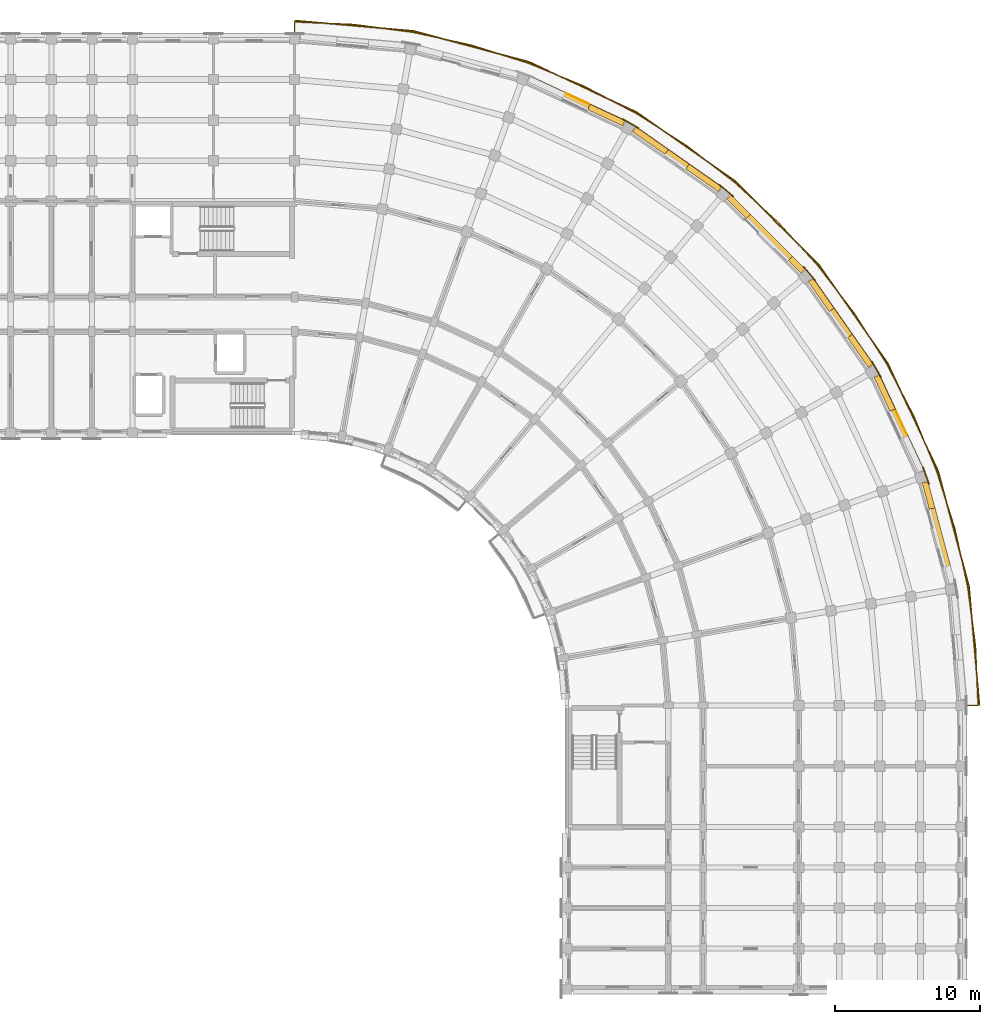
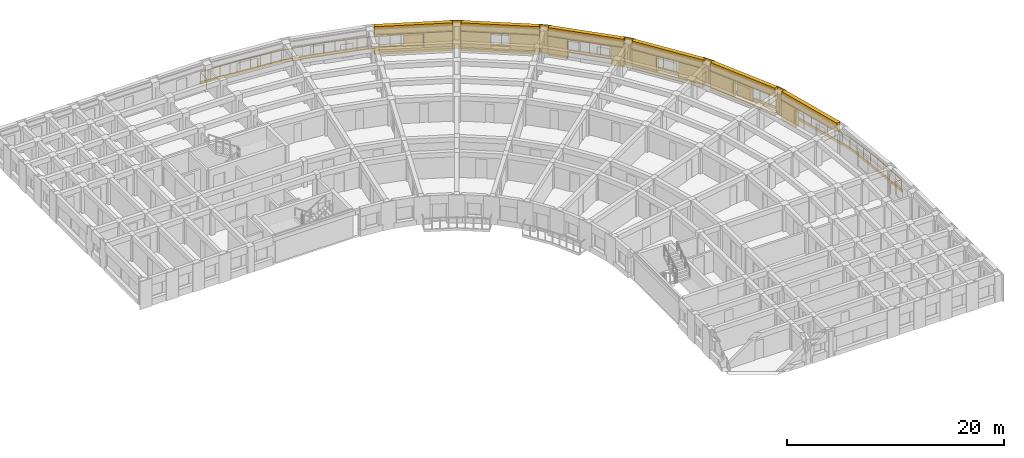
# One storey, part 54 of 57: 25 coverings, 2 shading devices, 1 railing.
"""IFC4 building model written with IfcOpenShell, lengths in metres."""

import ifcopenshell
import ifcopenshell.guid

model = None  # the IFC model being written
_history = None  # IfcOwnerHistory: only IFC2X3 demands one
_inside = {}  # id of a spatial element -> (the spatial element, [elements in it])
_under = {}  # id of a project, library or spatial element -> (it, [spatial elements below it])
_declared = {}  # id of a project -> (the project, [libraries it declares])
_typed = {}  # id of a type object -> (the type object, [elements of that type])
_made_of = {}  # id of a material, layer set ... -> (it, [elements and type objects made of it])


def new_model(schema):
    """Start an empty IFC model of exactly this schema.

    Asked for "IFC4X3", IfcOpenShell would pick the latest addendum, in which some entities
    have other attributes; the version numbers below select the first issue.
    IFC2X3 requires an IfcOwnerHistory on every rooted entity: one is made here for all.
    """
    global model, _history
    if schema == "IFC4X3":
        model = ifcopenshell.file(schema_version=(4, 3, 0, 0))
    else:
        model = ifcopenshell.file(schema=schema)
    _inside.clear()
    _under.clear()
    _declared.clear()
    _typed.clear()
    _made_of.clear()
    _history = None
    if model.schema == "IFC2X3":
        org = make("IfcOrganization", Name="unknown")
        user = make(
            "IfcPersonAndOrganization",
            ThePerson=make("IfcPerson", FamilyName="unknown"),
            TheOrganization=org,
        )
        app = make(
            "IfcApplication",
            ApplicationDeveloper=org,
            Version="unknown",
            ApplicationFullName="unknown",
            ApplicationIdentifier="unknown",
        )
        _history = make(
            "IfcOwnerHistory",
            OwningUser=user,
            OwningApplication=app,
            ChangeAction="ADDED",
            CreationDate=0,
        )
    return model


def make(cls, **values):
    """One entity of the class cls with the attributes given. An attribute that is None is left unset."""
    return model.create_entity(
        cls, **{name: value for name, value in values.items() if value is not None}
    )


def rooted(cls, **values):
    """An entity with a GlobalId (a new one), such as an element, a storey or a relation."""
    return make(cls, GlobalId=ifcopenshell.guid.new(), OwnerHistory=_history, **values)


def si_unit(unit_type, name, prefix=None):
    """IfcSIUnit, for example si_unit("LENGTHUNIT", "METRE", prefix="MILLI")."""
    return make("IfcSIUnit", UnitType=unit_type, Prefix=prefix, Name=name)


def assignment(units):
    """IfcUnitAssignment: the units of a project."""
    return None if units is None else make("IfcUnitAssignment", Units=units)


def point(xyz):
    """IfcCartesianPoint."""
    return None if xyz is None else make("IfcCartesianPoint", Coordinates=xyz)


def direction(xyz):
    """IfcDirection."""
    return None if xyz is None else make("IfcDirection", DirectionRatios=xyz)


def frame(location, z_axis=None, x_axis=None):
    """IfcAxis2Placement3D, a coordinate frame: its origin and axes. An axis left out is left unset."""
    return make(
        "IfcAxis2Placement3D",
        Location=point(location),
        Axis=direction(z_axis),
        RefDirection=direction(x_axis),
    )


def frame_2d(location, x_axis=None):
    """IfcAxis2Placement2D, a coordinate frame in the plane: its origin and x axis."""
    return make(
        "IfcAxis2Placement2D", Location=point(location), RefDirection=direction(x_axis)
    )


def origin():
    """The frame at (0, 0, 0) with its axes left unset."""
    return frame((0.0, 0.0, 0.0))


def origin_2d():
    """The frame at (0, 0) in the plane with its x axis left unset."""
    return frame_2d((0.0, 0.0))


def place(relative_to, where):
    """IfcLocalPlacement: puts the frame where relative to a parent placement (None: the world)."""
    return make(
        "IfcLocalPlacement", PlacementRelTo=relative_to, RelativePlacement=where
    )


def context(
    kind, dimensions, precision=None, world=None, true_north=None, identifier=None
):
    """IfcGeometricRepresentationContext, for example the 3D "Model" context."""
    return make(
        "IfcGeometricRepresentationContext",
        ContextIdentifier=identifier,
        ContextType=kind,
        CoordinateSpaceDimension=dimensions,
        Precision=precision,
        WorldCoordinateSystem=world,
        TrueNorth=true_north,
    )


def subcontext(parent, identifier, kind, view, scale=None):
    """IfcGeometricRepresentationSubContext, for example "Body" below "Model"."""
    return make(
        "IfcGeometricRepresentationSubContext",
        ContextIdentifier=identifier,
        ContextType=kind,
        ParentContext=parent,
        TargetScale=scale,
        TargetView=view,
    )


def project(units=None, contexts=None):
    """IfcProject with its units and contexts."""
    return rooted(
        "IfcProject",
        Name="project",
        RepresentationContexts=contexts,
        UnitsInContext=assignment(units),
    )


def spatial(cls, under=None, at=None, **own):
    """A site, building, storey or space (cls), placed at a placement, below another one or the project."""
    s = rooted(cls, ObjectPlacement=at, **own)
    if under is not None:
        _under.setdefault(under.id(), (under, []))[1].append(s)
    return s


def polyline(points):
    """IfcPolyline through the points."""
    return make("IfcPolyline", Points=[point(p) for p in points])


def profile(cls, at=None, kind="AREA", **sizes):
    """A parametric profile (cls). Its sizes go by their IFC names, for example OverallWidth=200.0."""
    return make(cls, ProfileType=kind, Position=at, **sizes)


def rectangle(**sizes):
    """IfcRectangleProfileDef."""
    return profile("IfcRectangleProfileDef", **sizes)


def circle(**sizes):
    """IfcCircleProfileDef."""
    return profile("IfcCircleProfileDef", **sizes)


def outline(outer, holes=None, kind="AREA"):
    """IfcArbitraryClosedProfileDef: a profile drawn as a closed curve; with holes, ...WithVoids."""
    if holes is None:
        return make("IfcArbitraryClosedProfileDef", ProfileType=kind, OuterCurve=outer)
    return make(
        "IfcArbitraryProfileDefWithVoids",
        ProfileType=kind,
        OuterCurve=outer,
        InnerCurves=holes,
    )


def extrude(swept, where, along, depth):
    """IfcExtrudedAreaSolid: the profile swept, set in the frame where, extruded along a direction by depth."""
    return make(
        "IfcExtrudedAreaSolid",
        SweptArea=swept,
        Position=where,
        ExtrudedDirection=direction(along),
        Depth=depth,
    )


def shape(context_of_items, identifier, shape_type, items):
    """IfcShapeRepresentation: the items that make up one representation, for example the "Body"."""
    return make(
        "IfcShapeRepresentation",
        ContextOfItems=context_of_items,
        RepresentationIdentifier=identifier,
        RepresentationType=shape_type,
        Items=items,
    )


def material(Name=None, Category=None):
    """IfcMaterial."""
    return make("IfcMaterial", Name=Name, Category=Category)


def layer(
    of_material, thickness, ventilated=None, Name=None, Category=None, Priority=None
):
    """IfcMaterialLayer: one layer of a wall or slab, of a material (None: an air gap)."""
    return make(
        "IfcMaterialLayer",
        Material=of_material,
        LayerThickness=thickness,
        IsVentilated=ventilated,
        Name=Name,
        Category=Category,
        Priority=Priority,
    )


def layer_set(layers, Name=None):
    """IfcMaterialLayerSet."""
    return make("IfcMaterialLayerSet", MaterialLayers=layers, LayerSetName=Name)


def made_of(thing, what):
    """Note that an element or type object is made of a material, layer set ...; save() writes the relation."""
    if what is not None:
        _made_of.setdefault(what.id(), (what, []))[1].append(thing)
    return thing


def type_object(cls, material=None, **own):
    """A type object (cls), such as IfcWallType, which elements share."""
    return made_of(rooted(cls, **own), material)


def element(
    cls,
    number,
    at=None,
    inside=None,
    cuts=None,
    type_object=None,
    material=None,
    context=None,
    identifier="Body",
    shape_type=None,
    held_by="IfcProductDefinitionShape",
    body=None,
    shapes=None,
    **own,
):
    """One element of the class cls, such as IfcWall. Its Tag is "e" and its number.

    at: its placement. inside: the storey or other place that contains it. cuts: it is an
    opening in that element (IfcRelVoidsElement). A single representation is given by context,
    identifier, shape_type and body (its items); several are given by shapes. held_by: the class
    of the entity that holds the representations. save() writes the other relations.
    """
    e = rooted(cls, Tag="e%d" % number, ObjectPlacement=at, **own)
    if body is not None:
        shapes = [shape(context, identifier, shape_type, body)]
    if shapes is not None:
        e.Representation = make(held_by, Representations=shapes)
    if inside is not None:
        _inside.setdefault(inside.id(), (inside, []))[1].append(e)
    if cuts is not None:
        rooted(
            "IfcRelVoidsElement", RelatingBuildingElement=cuts, RelatedOpeningElement=e
        )
    if type_object is not None:
        _typed.setdefault(type_object.id(), (type_object, []))[1].append(e)
    return made_of(e, material)


def aggregate(whole, parts):
    """IfcRelAggregates: a whole, such as a stair, and the parts it consists of."""
    return rooted("IfcRelAggregates", RelatingObject=whole, RelatedObjects=parts)


def save(model, path):
    """Write the relations noted so far, then the file.

    IfcRelAggregates (storeys below a building ...), IfcRelContainedInSpatialStructure (elements
    in a storey), IfcRelDefinesByType, IfcRelAssociatesMaterial and IfcRelDeclares: one each for
    every whole, place, type object, material and project.
    """
    for whole, parts in _under.values():
        aggregate(whole, parts)
    for where, things in _inside.values():
        rooted(
            "IfcRelContainedInSpatialStructure",
            RelatedElements=things,
            RelatingStructure=where,
        )
    for kind, things in _typed.values():
        rooted("IfcRelDefinesByType", RelatedObjects=things, RelatingType=kind)
    for what, things in _made_of.values():
        rooted("IfcRelAssociatesMaterial", RelatedObjects=things, RelatingMaterial=what)
    for by, libraries in _declared.values():
        rooted("IfcRelDeclares", RelatingContext=by, RelatedDefinitions=libraries)
    model.write(path)


model = new_model("IFC4")

# Units and contexts
model_context = context("Model", 3, precision=1e-05, world=origin(), true_north=direction((0.0, 1.0)))
body_context = subcontext(model_context, "Body", "Model", "MODEL_VIEW")
ifc_project = project(units=[si_unit("LENGTHUNIT", "METRE"), si_unit("AREAUNIT", "SQUARE_METRE"), si_unit("VOLUMEUNIT", "CUBIC_METRE"), si_unit("PLANEANGLEUNIT", "RADIAN"), si_unit("MASSUNIT", "GRAM", prefix="KILO")], contexts=[model_context])

# Site, building, storey
site_placement = place(None, origin())
site = spatial("IfcSite", under=ifc_project, at=site_placement, CompositionType="ELEMENT")
building_placement = place(site_placement, origin())
building = spatial("IfcBuilding", under=site, at=building_placement, Name="Kiranvali Square Residences", CompositionType="ELEMENT")
storey_placement = place(building_placement, frame((0.0, 0.0, 18.14990234375)))
storey = spatial("IfcBuildingStorey", under=building, at=storey_placement, Name="L05", CompositionType="ELEMENT", Elevation=18.14990234375)

# Coverings
ifc_material_1 = material(Name="Carved Porbandar limestone classical entablature and cornice", Category="masonry")
ifc_layer_1 = layer(ifc_material_1, 0.072021484375)
ifc_layer_set_1 = layer_set([ifc_layer_1], Name="Carved Porbandar limestone classical entablature and cornice")
covering_type_1 = type_object("IfcCoveringType", Name="COV-CLAD-BAL", PredefinedType="CLADDING", material=ifc_layer_set_1)
covering_1_placement = place(storey_placement, frame((0.0, 0.0, -0.239990234375)))
element("IfcCovering", 1, at=covering_1_placement, inside=storey, type_object=covering_type_1, Name="Block B L05 continuous curved limestone balcony fascia", PredefinedType="CLADDING", context=body_context, shape_type="SweptSolid", body=[
    extrude(outline(polyline([(119.800048828125, 135.052001953125), (128.005126953125, 134.334228515625), (135.961181640625, 132.202392578125), (143.426025390625, 128.721435546875), (150.173095703125, 123.9970703125), (155.9970703125, 118.173095703125), (160.721435546875, 111.426025390625), (164.202392578125, 103.961181640625), (166.334228515625, 96.005126953125), (167.052001953125, 87.800048828125), (167.117919921875, 87.800048828125), (166.399169921875, 96.0166015625), (164.264404296875, 103.983642578125), (160.778564453125, 111.458984375), (156.047607421875, 118.21533203125), (150.21533203125, 124.047607421875), (143.458984375, 128.778564453125), (135.983642578125, 132.264404296875), (128.0166015625, 134.399169921875), (119.800048828125, 135.117919921875), (119.800048828125, 135.052001953125)])), origin(), (0.0, 0.0, 1.0), 0.300048828125),
])
ifc_material_2 = material(Name="Honed Porbandar limestone ashlar facade cladding", Category="masonry")
ifc_layer_2 = layer(ifc_material_2, 0.3798828125)
ifc_layer_set_2 = layer_set([ifc_layer_2], Name="Honed Porbandar limestone ashlar facade cladding")
covering_type_2 = type_object("IfcCoveringType", Name="COV-CLAD-JAMB", PredefinedType="CLADDING", material=ifc_layer_set_2)
covering_2_placement = place(storey_placement, frame((0.0, 0.0, 0.522216796875)))
element("IfcCovering", 2, at=covering_2_placement, inside=storey, type_object=covering_type_2, Name="L05 deep limestone window jamb reveal B-L05-CRV-02.R", PredefinedType="CLADDING", context=body_context, shape_type="SweptSolid", body=[
    extrude(outline(polyline([(140.027587890625, 128.930419921875), (142.437744140625, 127.806640625), (142.61083984375, 128.177734375), (140.20068359375, 129.301513671875), (140.027587890625, 128.930419921875)])), origin(), (0.0, 0.0, 1.0), 1.64990234375),
])
covering_3_placement = place(storey_placement, frame((0.0, 0.0, 0.422119140625)))
element("IfcCovering", 3, at=covering_3_placement, inside=storey, type_object=covering_type_2, Name="L05 deep limestone window jamb reveal B-L05-CRV-03.L", PredefinedType="CLADDING", context=body_context, shape_type="SweptSolid", body=[
    extrude(outline(polyline([(143.1279296875, 127.408203125), (145.36767578125, 125.83984375), (145.6025390625, 126.17529296875), (143.36279296875, 127.74365234375), (143.1279296875, 127.408203125)])), origin(), (0.0, 0.0, 1.0), 1.75),
])
covering_4_placement = place(storey_placement, frame((0.0, 0.0, 0.422119140625)))
element("IfcCovering", 4, at=covering_4_placement, inside=storey, type_object=covering_type_2, Name="L05 deep limestone window jamb reveal B-L05-CRV-03.R", PredefinedType="CLADDING", context=body_context, shape_type="SweptSolid", body=[
    extrude(outline(polyline([(146.80126953125, 124.836181640625), (149.040771484375, 123.267822265625), (149.275634765625, 123.603271484375), (147.0361328125, 125.171630859375), (146.80126953125, 124.836181640625)])), origin(), (0.0, 0.0, 1.0), 1.75),
])
covering_5_placement = place(storey_placement, origin())
element("IfcCovering", 5, at=covering_5_placement, inside=storey, type_object=covering_type_2, Name="L05 deep limestone window jamb reveal B-L05-CRV-04.L", PredefinedType="CLADDING", context=body_context, shape_type="SweptSolid", body=[
    extrude(outline(polyline([(149.6513671875, 122.755615234375), (150.978271484375, 121.4287109375), (151.267822265625, 121.71826171875), (149.94091796875, 123.045166015625), (149.6513671875, 122.755615234375)])), origin(), (0.0, 0.0, 1.0), 2.18017578125),
])
covering_6_placement = place(storey_placement, origin())
element("IfcCovering", 6, at=covering_6_placement, inside=storey, type_object=covering_type_2, Name="L05 deep limestone window jamb reveal B-L05-CRV-04.R", PredefinedType="CLADDING", context=body_context, shape_type="SweptSolid", body=[
    extrude(outline(polyline([(153.88818359375, 118.518798828125), (154.755615234375, 117.6513671875), (155.045166015625, 117.94091796875), (154.177734375, 118.808349609375), (153.88818359375, 118.518798828125)])), origin(), (0.0, 0.0, 1.0), 2.18017578125),
])
covering_7_placement = place(storey_placement, frame((0.0, 0.0, 0.3720703125)))
element("IfcCovering", 7, at=covering_7_placement, inside=storey, type_object=covering_type_2, Name="L05 deep limestone window jamb reveal B-L05-CRV-05.L", PredefinedType="CLADDING", context=body_context, shape_type="SweptSolid", body=[
    extrude(outline(polyline([(155.267822265625, 117.040771484375), (156.70703125, 114.9853515625), (157.04248046875, 115.220458984375), (155.603271484375, 117.275634765625), (155.267822265625, 117.040771484375)])), origin(), (0.0, 0.0, 1.0), 1.800048828125),
])
covering_8_placement = place(storey_placement, frame((0.0, 0.0, 0.3720703125)))
element("IfcCovering", 8, at=covering_8_placement, inside=storey, type_object=covering_type_2, Name="L05 deep limestone window jamb reveal B-L05-CRV-05.R", PredefinedType="CLADDING", context=body_context, shape_type="SweptSolid", body=[
    extrude(outline(polyline([(157.968994140625, 113.183349609375), (159.408203125, 111.1279296875), (159.74365234375, 111.36279296875), (158.304443359375, 113.418212890625), (157.968994140625, 113.183349609375)])), origin(), (0.0, 0.0, 1.0), 1.800048828125),
])
covering_9_placement = place(storey_placement, frame((0.0, 0.0, 0.322021484375)))
element("IfcCovering", 9, at=covering_9_placement, inside=storey, type_object=covering_type_2, Name="L05 deep limestone window jamb reveal B-L05-CRV-06.L", PredefinedType="CLADDING", context=body_context, shape_type="SweptSolid", body=[
    extrude(outline(polyline([(159.806640625, 110.437744140625), (160.898681640625, 108.095703125), (161.27001953125, 108.268798828125), (160.177734375, 110.61083984375), (159.806640625, 110.437744140625)])), origin(), (0.0, 0.0, 1.0), 1.85009765625),
])
covering_10_placement = place(storey_placement, origin())
element("IfcCovering", 10, at=covering_10_placement, inside=storey, type_object=covering_type_2, Name="L05 deep limestone window jamb reveal B-L05-CRV-07.L", PredefinedType="CLADDING", context=body_context, shape_type="SweptSolid", body=[
    extrude(outline(polyline([(163.1298828125, 103.146728515625), (163.615478515625, 101.334228515625), (164.010986328125, 101.440185546875), (163.525390625, 103.252685546875), (163.1298828125, 103.146728515625)])), origin(), (0.0, 0.0, 1.0), 2.18017578125),
])
ifc_layer_3 = layer(ifc_material_2, 0.06494140625)
ifc_layer_set_3 = layer_set([ifc_layer_3], Name="Honed Porbandar limestone ashlar facade cladding")
covering_type_3 = type_object("IfcCoveringType", Name="COV-CLAD-PIER", PredefinedType="CLADDING", material=ifc_layer_set_3)
covering_11_placement = place(storey_placement, frame((0.0, 0.0, 0.005126953125)))
element("IfcCovering", 11, at=covering_11_placement, inside=storey, type_object=covering_type_3, Name="L05 Classical limestone corner pilaster CLAD-PR-B-L05-A03", PredefinedType="CLADDING", context=body_context, shape_type="SweptSolid", body=[
    extrude(outline(polyline([(143.5546875, 127.68408203125), (142.46337890625, 128.314208984375), (142.4296875, 128.255615234375), (143.520751953125, 127.625732421875), (143.5546875, 127.68408203125)])), origin(), (0.0, 0.0, 1.0), 3.139892578125),
])
covering_12_placement = place(storey_placement, frame((0.0, 0.0, 0.005126953125)))
element("IfcCovering", 12, at=covering_12_placement, inside=storey, type_object=covering_type_3, Name="L05 Classical limestone corner pilaster CLAD-PR-B-L05-A04", PredefinedType="CLADDING", context=body_context, shape_type="SweptSolid", body=[
    extrude(outline(polyline([(150.11962890625, 122.953369140625), (149.154296875, 123.76318359375), (149.11083984375, 123.71142578125), (150.076171875, 122.901611328125), (150.11962890625, 122.953369140625)])), origin(), (0.0, 0.0, 1.0), 3.139892578125),
])
covering_13_placement = place(storey_placement, frame((0.0, 0.0, 0.005126953125)))
element("IfcCovering", 13, at=covering_13_placement, inside=storey, type_object=covering_type_3, Name="L05 Classical limestone corner pilaster CLAD-PR-B-L05-A05", PredefinedType="CLADDING", context=body_context, shape_type="SweptSolid", body=[
    extrude(outline(polyline([(155.76318359375, 117.154296875), (154.953369140625, 118.11962890625), (154.901611328125, 118.076171875), (155.71142578125, 117.11083984375), (155.76318359375, 117.154296875)])), origin(), (0.0, 0.0, 1.0), 3.139892578125),
])
covering_14_placement = place(storey_placement, frame((0.0, 0.0, 0.005126953125)))
element("IfcCovering", 14, at=covering_14_placement, inside=storey, type_object=covering_type_3, Name="L05 Classical limestone corner pilaster CLAD-PR-B-L05-A06", PredefinedType="CLADDING", context=body_context, shape_type="SweptSolid", body=[
    extrude(outline(polyline([(160.314208984375, 110.46337890625), (159.68408203125, 111.5546875), (159.625732421875, 111.520751953125), (160.255615234375, 110.4296875), (160.314208984375, 110.46337890625)])), origin(), (0.0, 0.0, 1.0), 3.139892578125),
])
covering_15_placement = place(storey_placement, frame((0.0, 0.0, 0.005126953125)))
element("IfcCovering", 15, at=covering_15_placement, inside=storey, type_object=covering_type_3, Name="L05 Classical limestone corner pilaster CLAD-PR-B-L05-A07", PredefinedType="CLADDING", context=body_context, shape_type="SweptSolid", body=[
    extrude(outline(polyline([(163.634033203125, 103.083984375), (163.203125, 104.267822265625), (163.1396484375, 104.244873046875), (163.57080078125, 103.060791015625), (163.634033203125, 103.083984375)])), origin(), (0.0, 0.0, 1.0), 3.139892578125),
])
ifc_layer_4 = layer(ifc_material_2, 0.360107421875)
ifc_layer_set_4 = layer_set([ifc_layer_4], Name="Honed Porbandar limestone ashlar facade cladding")
covering_type_4 = type_object("IfcCoveringType", Name="COV-CLAD-WALL", PredefinedType="CLADDING", material=ifc_layer_set_4)
covering_16_placement = place(storey_placement, frame((0.0, 0.0, 2.172119140625)))
element("IfcCovering", 16, at=covering_16_placement, inside=storey, type_object=covering_type_4, Name="L05 light limestone spandrel lintel B-L05-CRV-02", PredefinedType="CLADDING", context=body_context, shape_type="SweptSolid", body=[
    extrude(outline(polyline([(135.895751953125, 130.857177734375), (142.437744140625, 127.806640625), (142.61083984375, 128.177734375), (136.068603515625, 131.228515625), (135.895751953125, 130.857177734375)])), origin(), (0.0, 0.0, 1.0), 0.972900390625),
])
covering_17_placement = place(storey_placement, frame((0.0, 0.0, 0.005126953125)))
element("IfcCovering", 17, at=covering_17_placement, inside=storey, type_object=covering_type_4, Name="L05 limestone window sill apron B-L05-CRV-02", PredefinedType="CLADDING", context=body_context, shape_type="SweptSolid", body=[
    extrude(outline(polyline([(135.895751953125, 130.857177734375), (142.437744140625, 127.806640625), (142.62353515625, 128.205078125), (136.081298828125, 131.255615234375), (135.895751953125, 130.857177734375)])), origin(), (0.0, 0.0, 1.0), 0.51708984375),
])
covering_18_placement = place(storey_placement, frame((0.0, 0.0, 2.172119140625)))
element("IfcCovering", 18, at=covering_18_placement, inside=storey, type_object=covering_type_4, Name="L05 light limestone spandrel lintel B-L05-CRV-03", PredefinedType="CLADDING", context=body_context, shape_type="SweptSolid", body=[
    extrude(outline(polyline([(143.1279296875, 127.408203125), (149.040771484375, 123.267822265625), (149.275634765625, 123.603271484375), (143.36279296875, 127.74365234375), (143.1279296875, 127.408203125)])), origin(), (0.0, 0.0, 1.0), 0.972900390625),
])
covering_19_placement = place(storey_placement, frame((0.0, 0.0, 0.005126953125)))
element("IfcCovering", 19, at=covering_19_placement, inside=storey, type_object=covering_type_4, Name="L05 limestone window sill apron B-L05-CRV-03", PredefinedType="CLADDING", context=body_context, shape_type="SweptSolid", body=[
    extrude(outline(polyline([(143.1279296875, 127.408203125), (149.040771484375, 123.267822265625), (149.29296875, 123.6279296875), (143.380126953125, 127.76806640625), (143.1279296875, 127.408203125)])), origin(), (0.0, 0.0, 1.0), 0.4169921875),
])
covering_20_placement = place(storey_placement, frame((0.0, 0.0, 2.18017578125)))
element("IfcCovering", 20, at=covering_20_placement, inside=storey, type_object=covering_type_4, Name="L05 light limestone spandrel lintel B-L05-CRV-04", PredefinedType="CLADDING", context=body_context, shape_type="SweptSolid", body=[
    extrude(outline(polyline([(149.6513671875, 122.755615234375), (154.755615234375, 117.6513671875), (155.045166015625, 117.94091796875), (149.94091796875, 123.045166015625), (149.6513671875, 122.755615234375)])), origin(), (0.0, 0.0, 1.0), 0.96484375),
])
covering_21_placement = place(storey_placement, frame((0.0, 0.0, 2.172119140625)))
element("IfcCovering", 21, at=covering_21_placement, inside=storey, type_object=covering_type_4, Name="L05 light limestone spandrel lintel B-L05-CRV-05", PredefinedType="CLADDING", context=body_context, shape_type="SweptSolid", body=[
    extrude(outline(polyline([(155.267822265625, 117.040771484375), (159.408203125, 111.1279296875), (159.74365234375, 111.36279296875), (155.603271484375, 117.275634765625), (155.267822265625, 117.040771484375)])), origin(), (0.0, 0.0, 1.0), 0.972900390625),
])
covering_22_placement = place(storey_placement, frame((0.0, 0.0, 0.005126953125)))
element("IfcCovering", 22, at=covering_22_placement, inside=storey, type_object=covering_type_4, Name="L05 limestone window sill apron B-L05-CRV-05", PredefinedType="CLADDING", context=body_context, shape_type="SweptSolid", body=[
    extrude(outline(polyline([(155.267822265625, 117.040771484375), (159.408203125, 111.1279296875), (159.76806640625, 111.380126953125), (155.6279296875, 117.29296875), (155.267822265625, 117.040771484375)])), origin(), (0.0, 0.0, 1.0), 0.366943359375),
])
covering_23_placement = place(storey_placement, frame((0.0, 0.0, 2.172119140625)))
element("IfcCovering", 23, at=covering_23_placement, inside=storey, type_object=covering_type_4, Name="L05 light limestone spandrel lintel B-L05-CRV-06", PredefinedType="CLADDING", context=body_context, shape_type="SweptSolid", body=[
    extrude(outline(polyline([(159.806640625, 110.437744140625), (162.857177734375, 103.895751953125), (163.228515625, 104.068603515625), (160.177734375, 110.61083984375), (159.806640625, 110.437744140625)])), origin(), (0.0, 0.0, 1.0), 0.972900390625),
])
covering_24_placement = place(storey_placement, frame((0.0, 0.0, 0.005126953125)))
element("IfcCovering", 24, at=covering_24_placement, inside=storey, type_object=covering_type_4, Name="L05 limestone window sill apron B-L05-CRV-06", PredefinedType="CLADDING", context=body_context, shape_type="SweptSolid", body=[
    extrude(outline(polyline([(159.806640625, 110.437744140625), (162.857177734375, 103.895751953125), (163.255615234375, 104.081298828125), (160.205078125, 110.62353515625), (159.806640625, 110.437744140625)])), origin(), (0.0, 0.0, 1.0), 0.31689453125),
])
covering_25_placement = place(storey_placement, frame((0.0, 0.0, 2.18017578125)))
element("IfcCovering", 25, at=covering_25_placement, inside=storey, type_object=covering_type_4, Name="L05 light limestone spandrel lintel B-L05-CRV-07", PredefinedType="CLADDING", context=body_context, shape_type="SweptSolid", body=[
    extrude(outline(polyline([(163.1298828125, 103.146728515625), (164.998046875, 96.17431640625), (165.3935546875, 96.2802734375), (163.525390625, 103.252685546875), (163.1298828125, 103.146728515625)])), origin(), (0.0, 0.0, 1.0), 0.96484375),
])

# Railing
ifc_material_3 = material(Name="Powder-coated architectural bronze balustrade", Category="steel")
railing_type = type_object("IfcRailingType", Name="RL-BAL-GOLD-1200", PredefinedType="BALUSTRADE", material=ifc_material_3)
railing_placement = place(storey_placement, frame((119.800048828125, 133.840087890625, 0.0)))
element("IfcRailing", 26, at=railing_placement, inside=storey, type_object=railing_type, Name="Block B L05 continuous curved corner gold balustrade", PredefinedType="BALUSTRADE", context=body_context, shape_type="SweptSolid", body=[
    extrude(circle(Radius=0.02392578125, at=origin_2d()), frame((0.0, 0.0, 1.17578125), z_axis=(0.0, 1.0, 0.0), x_axis=(-1.0, 0.0, 0.0)), (0.0, 0.0, 1.0), 1.14990234375),
    extrude(circle(Radius=0.02392578125, at=origin_2d()), frame((0.0, 1.14990234375, 1.17578125), z_axis=(0.999049544955, -0.043589066576, 0.0), x_axis=(0.043589066576, 0.999049544955, 0.0)), (0.0, 0.0, 1.0), 4.11669921875),
    extrude(circle(Radius=0.02392578125, at=origin_2d()), frame((4.11279296875, 0.970458984375, 1.17578125), z_axis=(0.991444603928, -0.1305281477, 0.0), x_axis=(0.1305281477, 0.991444603928, 0.0)), (0.0, 0.0, 1.0), 4.11669921875),
    extrude(circle(Radius=0.02392578125, at=origin_2d()), frame((8.1943359375, 0.43310546875, 1.17578125), z_axis=(0.976292989924, -0.216453223181, 0.0), x_axis=(0.216453223181, 0.976292989924, 0.0)), (0.0, 0.0, 1.0), 4.116943359375),
    extrude(circle(Radius=0.02392578125, at=origin_2d()), frame((12.213623046875, -0.4580078125, 1.17578125), z_axis=(0.953710744932, -0.300725481131, 0.0), x_axis=(0.300725481131, 0.953710744932, 0.0)), (0.0, 0.0, 1.0), 4.116943359375),
    extrude(circle(Radius=0.02392578125, at=origin_2d()), frame((16.139892578125, -1.696044921875, 1.17578125), z_axis=(0.923880226262, -0.382681757498, 0.0), x_axis=(0.382681757498, 0.923880226262, 0.0)), (0.0, 0.0, 1.0), 4.116943359375),
    extrude(circle(Radius=0.02392578125, at=origin_2d()), frame((19.943359375, -3.271484375, 1.17578125), z_axis=(0.887013781313, -0.461742949877, 0.0), x_axis=(0.461742949877, 0.887013781313, 0.0)), (0.0, 0.0, 1.0), 4.11669921875),
    extrude(circle(Radius=0.02392578125, at=origin_2d()), frame((23.594970703125, -5.17236328125, 1.17578125), z_axis=(0.843402550976, -0.537282176335, 0.0), x_axis=(0.537282176335, 0.843402550976, 0.0)), (0.0, 0.0, 1.0), 4.116943359375),
    extrude(circle(Radius=0.02392578125, at=origin_2d()), frame((27.067138671875, -7.38427734375, 1.17578125), z_axis=(0.793339967331, -0.608778856594, 0.0), x_axis=(0.608778856594, 0.793339967331, 0.0)), (0.0, 0.0, 1.0), 4.11669921875),
    extrude(circle(Radius=0.02392578125, at=origin_2d()), frame((30.3330078125, -9.890380859375, 1.17578125), z_axis=(0.737299356654, -0.675566176386, 0.0), x_axis=(0.675566176386, 0.737299356654, 0.0)), (0.0, 0.0, 1.0), 4.116943359375),
    extrude(circle(Radius=0.02392578125, at=origin_2d()), frame((33.368408203125, -12.671630859375, 1.17578125), z_axis=(0.675566176386, -0.737299356654, 0.0), x_axis=(0.737299356654, 0.675566176386, 0.0)), (0.0, 0.0, 1.0), 4.116943359375),
    extrude(circle(Radius=0.02392578125, at=origin_2d()), frame((36.149658203125, -15.70703125, 1.17578125), z_axis=(0.608778856594, -0.793339967331, 0.0), x_axis=(0.793339967331, 0.608778856594, 0.0)), (0.0, 0.0, 1.0), 4.11669921875),
    extrude(circle(Radius=0.02392578125, at=origin_2d()), frame((38.65576171875, -18.972900390625, 1.17578125), z_axis=(0.537282176335, -0.843402550976, 0.0), x_axis=(0.843402550976, 0.537282176335, 0.0)), (0.0, 0.0, 1.0), 4.116943359375),
    extrude(circle(Radius=0.02392578125, at=origin_2d()), frame((40.86767578125, -22.445068359375, 1.17578125), z_axis=(0.461742949877, -0.887013781313, 0.0), x_axis=(0.887013781313, 0.461742949877, 0.0)), (0.0, 0.0, 1.0), 4.11669921875),
    extrude(circle(Radius=0.02392578125, at=origin_2d()), frame((42.7685546875, -26.0966796875, 1.17578125), z_axis=(0.382681757498, -0.923880226262, 0.0), x_axis=(0.923880226262, 0.382681757498, 0.0)), (0.0, 0.0, 1.0), 4.116943359375),
    extrude(circle(Radius=0.02392578125, at=origin_2d()), frame((44.343994140625, -29.900146484375, 1.17578125), z_axis=(0.300725481131, -0.953710744932, 0.0), x_axis=(0.953710744932, 0.300725481131, 0.0)), (0.0, 0.0, 1.0), 4.116943359375),
    extrude(circle(Radius=0.02392578125, at=origin_2d()), frame((45.58203125, -33.826416015625, 1.17578125), z_axis=(0.216453223181, -0.976292989924, 0.0), x_axis=(0.976292989924, 0.216453223181, 0.0)), (0.0, 0.0, 1.0), 4.116943359375),
    extrude(circle(Radius=0.02392578125, at=origin_2d()), frame((46.47314453125, -37.845703125, 1.17578125), z_axis=(0.1305281477, -0.991444603928, 0.0), x_axis=(0.991444603928, 0.1305281477, 0.0)), (0.0, 0.0, 1.0), 4.11669921875),
    extrude(circle(Radius=0.02392578125, at=origin_2d()), frame((47.010498046875, -41.92724609375, 1.17578125), z_axis=(0.043589066576, -0.999049544955, 0.0), x_axis=(0.999049544955, 0.043589066576, 0.0)), (0.0, 0.0, 1.0), 4.11669921875),
    extrude(circle(Radius=0.02392578125, at=origin_2d()), frame((47.18994140625, -46.0400390625, 1.17578125), z_axis=(-1.0, 0.0, 0.0), x_axis=(0.0, -1.0, 0.0)), (0.0, 0.0, 1.0), 1.14990234375),
    extrude(circle(Radius=0.02099609375, at=origin_2d()), origin(), (0.0, 0.0, 1.0), 1.15185546875),
    extrude(circle(Radius=0.02099609375, at=origin_2d()), frame((0.0, 1.14990234375, 0.0)), (0.0, 0.0, 1.0), 1.15185546875),
    extrude(circle(Radius=0.02099609375, at=origin_2d()), frame((1.0283203125, 1.10498046875, 0.0)), (0.0, 0.0, 1.0), 1.15185546875),
    extrude(circle(Radius=0.02099609375, at=origin_2d()), frame((2.056396484375, 1.06005859375, 0.0)), (0.0, 0.0, 1.0), 1.15185546875),
    extrude(circle(Radius=0.02099609375, at=origin_2d()), frame((3.08447265625, 1.015380859375, 0.0)), (0.0, 0.0, 1.0), 1.15185546875),
    extrude(circle(Radius=0.02099609375, at=origin_2d()), frame((4.11279296875, 0.970458984375, 0.0)), (0.0, 0.0, 1.0), 1.15185546875),
    extrude(circle(Radius=0.02099609375, at=origin_2d()), frame((5.13330078125, 0.836181640625, 0.0)), (0.0, 0.0, 1.0), 1.15185546875),
    extrude(circle(Radius=0.02099609375, at=origin_2d()), frame((6.153564453125, 0.70166015625, 0.0)), (0.0, 0.0, 1.0), 1.15185546875),
    extrude(circle(Radius=0.02099609375, at=origin_2d()), frame((7.173828125, 0.5673828125, 0.0)), (0.0, 0.0, 1.0), 1.15185546875),
    extrude(circle(Radius=0.02099609375, at=origin_2d()), frame((8.1943359375, 0.43310546875, 0.0)), (0.0, 0.0, 1.0), 1.15185546875),
    extrude(circle(Radius=0.02099609375, at=origin_2d()), frame((9.19921875, 0.21044921875, 0.0)), (0.0, 0.0, 1.0), 1.15185546875),
    extrude(circle(Radius=0.02099609375, at=origin_2d()), frame((10.2041015625, -0.012451171875, 0.0)), (0.0, 0.0, 1.0), 1.15185546875),
    extrude(circle(Radius=0.02099609375, at=origin_2d()), frame((11.208740234375, -0.2353515625, 0.0)), (0.0, 0.0, 1.0), 1.15185546875),
    extrude(circle(Radius=0.02099609375, at=origin_2d()), frame((12.213623046875, -0.4580078125, 0.0)), (0.0, 0.0, 1.0), 1.15185546875),
    extrude(circle(Radius=0.02099609375, at=origin_2d()), frame((13.1953125, -0.767578125, 0.0)), (0.0, 0.0, 1.0), 1.15185546875),
    extrude(circle(Radius=0.02099609375, at=origin_2d()), frame((14.1767578125, -1.0771484375, 0.0)), (0.0, 0.0, 1.0), 1.15185546875),
    extrude(circle(Radius=0.02099609375, at=origin_2d()), frame((15.158203125, -1.386474609375, 0.0)), (0.0, 0.0, 1.0), 1.15185546875),
    extrude(circle(Radius=0.02099609375, at=origin_2d()), frame((16.139892578125, -1.696044921875, 0.0)), (0.0, 0.0, 1.0), 1.15185546875),
    extrude(circle(Radius=0.02099609375, at=origin_2d()), frame((17.0908203125, -2.08984375, 0.0)), (0.0, 0.0, 1.0), 1.15185546875),
    extrude(circle(Radius=0.02099609375, at=origin_2d()), frame((18.04150390625, -2.48388671875, 0.0)), (0.0, 0.0, 1.0), 1.15185546875),
    extrude(circle(Radius=0.02099609375, at=origin_2d()), frame((18.992431640625, -2.877685546875, 0.0)), (0.0, 0.0, 1.0), 1.15185546875),
    extrude(circle(Radius=0.02099609375, at=origin_2d()), frame((19.943359375, -3.271484375, 0.0)), (0.0, 0.0, 1.0), 1.15185546875),
    extrude(circle(Radius=0.02099609375, at=origin_2d()), frame((20.856201171875, -3.74658203125, 0.0)), (0.0, 0.0, 1.0), 1.15185546875),
    extrude(circle(Radius=0.02099609375, at=origin_2d()), frame((21.76904296875, -4.221923828125, 0.0)), (0.0, 0.0, 1.0), 1.15185546875),
    extrude(circle(Radius=0.02099609375, at=origin_2d()), frame((22.68212890625, -4.697265625, 0.0)), (0.0, 0.0, 1.0), 1.15185546875),
    extrude(circle(Radius=0.02099609375, at=origin_2d()), frame((23.594970703125, -5.17236328125, 0.0)), (0.0, 0.0, 1.0), 1.15185546875),
    extrude(circle(Radius=0.02099609375, at=origin_2d()), frame((24.462890625, -5.725341796875, 0.0)), (0.0, 0.0, 1.0), 1.15185546875),
    extrude(circle(Radius=0.02099609375, at=origin_2d()), frame((25.3310546875, -6.2783203125, 0.0)), (0.0, 0.0, 1.0), 1.15185546875),
    extrude(circle(Radius=0.02099609375, at=origin_2d()), frame((26.19921875, -6.831298828125, 0.0)), (0.0, 0.0, 1.0), 1.15185546875),
    extrude(circle(Radius=0.02099609375, at=origin_2d()), frame((27.067138671875, -7.38427734375, 0.0)), (0.0, 0.0, 1.0), 1.15185546875),
    extrude(circle(Radius=0.02099609375, at=origin_2d()), frame((27.883544921875, -8.0107421875, 0.0)), (0.0, 0.0, 1.0), 1.15185546875),
    extrude(circle(Radius=0.02099609375, at=origin_2d()), frame((28.7001953125, -8.63720703125, 0.0)), (0.0, 0.0, 1.0), 1.15185546875),
    extrude(circle(Radius=0.02099609375, at=origin_2d()), frame((29.5166015625, -9.263916015625, 0.0)), (0.0, 0.0, 1.0), 1.15185546875),
    extrude(circle(Radius=0.02099609375, at=origin_2d()), frame((30.3330078125, -9.890380859375, 0.0)), (0.0, 0.0, 1.0), 1.15185546875),
    extrude(circle(Radius=0.02099609375, at=origin_2d()), frame((31.091796875, -10.585693359375, 0.0)), (0.0, 0.0, 1.0), 1.15185546875),
    extrude(circle(Radius=0.02099609375, at=origin_2d()), frame((31.8505859375, -11.281005859375, 0.0)), (0.0, 0.0, 1.0), 1.15185546875),
    extrude(circle(Radius=0.02099609375, at=origin_2d()), frame((32.609619140625, -11.976318359375, 0.0)), (0.0, 0.0, 1.0), 1.15185546875),
    extrude(circle(Radius=0.02099609375, at=origin_2d()), frame((33.368408203125, -12.671630859375, 0.0)), (0.0, 0.0, 1.0), 1.15185546875),
    extrude(circle(Radius=0.02099609375, at=origin_2d()), frame((34.063720703125, -13.430419921875, 0.0)), (0.0, 0.0, 1.0), 1.15185546875),
    extrude(circle(Radius=0.02099609375, at=origin_2d()), frame((34.759033203125, -14.189453125, 0.0)), (0.0, 0.0, 1.0), 1.15185546875),
    extrude(circle(Radius=0.02099609375, at=origin_2d()), frame((35.454345703125, -14.9482421875, 0.0)), (0.0, 0.0, 1.0), 1.15185546875),
    extrude(circle(Radius=0.02099609375, at=origin_2d()), frame((36.149658203125, -15.70703125, 0.0)), (0.0, 0.0, 1.0), 1.15185546875),
    extrude(circle(Radius=0.02099609375, at=origin_2d()), frame((36.776123046875, -16.5234375, 0.0)), (0.0, 0.0, 1.0), 1.15185546875),
    extrude(circle(Radius=0.02099609375, at=origin_2d()), frame((37.40283203125, -17.33984375, 0.0)), (0.0, 0.0, 1.0), 1.15185546875),
    extrude(circle(Radius=0.02099609375, at=origin_2d()), frame((38.029296875, -18.156494140625, 0.0)), (0.0, 0.0, 1.0), 1.15185546875),
    extrude(circle(Radius=0.02099609375, at=origin_2d()), frame((38.65576171875, -18.972900390625, 0.0)), (0.0, 0.0, 1.0), 1.15185546875),
    extrude(circle(Radius=0.02099609375, at=origin_2d()), frame((39.208740234375, -19.8408203125, 0.0)), (0.0, 0.0, 1.0), 1.15185546875),
    extrude(circle(Radius=0.02099609375, at=origin_2d()), frame((39.76171875, -20.708984375, 0.0)), (0.0, 0.0, 1.0), 1.15185546875),
    extrude(circle(Radius=0.02099609375, at=origin_2d()), frame((40.314697265625, -21.5771484375, 0.0)), (0.0, 0.0, 1.0), 1.15185546875),
    extrude(circle(Radius=0.02099609375, at=origin_2d()), frame((40.86767578125, -22.445068359375, 0.0)), (0.0, 0.0, 1.0), 1.15185546875),
    extrude(circle(Radius=0.02099609375, at=origin_2d()), frame((41.3427734375, -23.35791015625, 0.0)), (0.0, 0.0, 1.0), 1.15185546875),
    extrude(circle(Radius=0.02099609375, at=origin_2d()), frame((41.818115234375, -24.27099609375, 0.0)), (0.0, 0.0, 1.0), 1.15185546875),
    extrude(circle(Radius=0.02099609375, at=origin_2d()), frame((42.29345703125, -25.183837890625, 0.0)), (0.0, 0.0, 1.0), 1.15185546875),
    extrude(circle(Radius=0.02099609375, at=origin_2d()), frame((42.7685546875, -26.0966796875, 0.0)), (0.0, 0.0, 1.0), 1.15185546875),
    extrude(circle(Radius=0.02099609375, at=origin_2d()), frame((43.162353515625, -27.047607421875, 0.0)), (0.0, 0.0, 1.0), 1.15185546875),
    extrude(circle(Radius=0.02099609375, at=origin_2d()), frame((43.55615234375, -27.99853515625, 0.0)), (0.0, 0.0, 1.0), 1.15185546875),
    extrude(circle(Radius=0.02099609375, at=origin_2d()), frame((43.9501953125, -28.94921875, 0.0)), (0.0, 0.0, 1.0), 1.15185546875),
    extrude(circle(Radius=0.02099609375, at=origin_2d()), frame((44.343994140625, -29.900146484375, 0.0)), (0.0, 0.0, 1.0), 1.15185546875),
    extrude(circle(Radius=0.02099609375, at=origin_2d()), frame((44.653564453125, -30.8818359375, 0.0)), (0.0, 0.0, 1.0), 1.15185546875),
    extrude(circle(Radius=0.02099609375, at=origin_2d()), frame((44.962890625, -31.86328125, 0.0)), (0.0, 0.0, 1.0), 1.15185546875),
    extrude(circle(Radius=0.02099609375, at=origin_2d()), frame((45.2724609375, -32.8447265625, 0.0)), (0.0, 0.0, 1.0), 1.15185546875),
    extrude(circle(Radius=0.02099609375, at=origin_2d()), frame((45.58203125, -33.826416015625, 0.0)), (0.0, 0.0, 1.0), 1.15185546875),
    extrude(circle(Radius=0.02099609375, at=origin_2d()), frame((45.8046875, -34.831298828125, 0.0)), (0.0, 0.0, 1.0), 1.15185546875),
    extrude(circle(Radius=0.02099609375, at=origin_2d()), frame((46.027587890625, -35.8359375, 0.0)), (0.0, 0.0, 1.0), 1.15185546875),
    extrude(circle(Radius=0.02099609375, at=origin_2d()), frame((46.25048828125, -36.8408203125, 0.0)), (0.0, 0.0, 1.0), 1.15185546875),
    extrude(circle(Radius=0.02099609375, at=origin_2d()), frame((46.47314453125, -37.845703125, 0.0)), (0.0, 0.0, 1.0), 1.15185546875),
    extrude(circle(Radius=0.02099609375, at=origin_2d()), frame((46.607421875, -38.8662109375, 0.0)), (0.0, 0.0, 1.0), 1.15185546875),
    extrude(circle(Radius=0.02099609375, at=origin_2d()), frame((46.74169921875, -39.886474609375, 0.0)), (0.0, 0.0, 1.0), 1.15185546875),
    extrude(circle(Radius=0.02099609375, at=origin_2d()), frame((46.876220703125, -40.90673828125, 0.0)), (0.0, 0.0, 1.0), 1.15185546875),
    extrude(circle(Radius=0.02099609375, at=origin_2d()), frame((47.010498046875, -41.92724609375, 0.0)), (0.0, 0.0, 1.0), 1.15185546875),
    extrude(circle(Radius=0.02099609375, at=origin_2d()), frame((47.055419921875, -42.95556640625, 0.0)), (0.0, 0.0, 1.0), 1.15185546875),
    extrude(circle(Radius=0.02099609375, at=origin_2d()), frame((47.10009765625, -43.983642578125, 0.0)), (0.0, 0.0, 1.0), 1.15185546875),
    extrude(circle(Radius=0.02099609375, at=origin_2d()), frame((47.14501953125, -45.01171875, 0.0)), (0.0, 0.0, 1.0), 1.15185546875),
    extrude(circle(Radius=0.02099609375, at=origin_2d()), frame((47.18994140625, -46.0400390625, 0.0)), (0.0, 0.0, 1.0), 1.15185546875),
    extrude(circle(Radius=0.02099609375, at=origin_2d()), frame((46.0400390625, -46.0400390625, 0.0)), (0.0, 0.0, 1.0), 1.15185546875),
])

# Shading devices
ifc_material_4 = material(Name="Pierced buff sandstone architectural mashrabiya solar screen", Category="masonry")
shading_device_type_1 = type_object("IfcShadingDeviceType", Name="SHD-JALI-1800", PredefinedType="JALOUSIE", material=ifc_material_4)
shading_device_1_placement = place(storey_placement, frame((139.331298828125, 129.68505859375, 0.522216796875), z_axis=(0.0, 0.0, 1.0), x_axis=(0.906307787037, -0.422618261741, 0.0)))
element("IfcShadingDevice", 27, at=shading_device_1_placement, inside=storey, type_object=shading_device_type_1, Name="L05 carved stone Mashrabiya screen B-L05-CRV-02", PredefinedType="JALOUSIE", context=body_context, shape_type="SweptSolid", body=[
    extrude(rectangle(XDim=1.800048828125, YDim=0.044921875, at=origin_2d()), origin(), (0.0, 0.0, 1.0), 1.64990234375),
])
shading_device_type_2 = type_object("IfcShadingDeviceType", Name="SHD-JALI-2100", PredefinedType="JALOUSIE", material=ifc_material_4)
shading_device_2_placement = place(storey_placement, frame((161.68505859375, 107.331298828125, 0.322021484375), z_axis=(0.0, 0.0, 1.0), x_axis=(0.422618261741, -0.906307787037, 0.0)))
element("IfcShadingDevice", 28, at=shading_device_2_placement, inside=storey, type_object=shading_device_type_2, Name="L05 carved stone Mashrabiya screen B-L05-CRV-06", PredefinedType="JALOUSIE", context=body_context, shape_type="SweptSolid", body=[
    extrude(rectangle(XDim=1.800048828125, YDim=0.044921875, at=origin_2d()), origin(), (0.0, 0.0, 1.0), 1.85009765625),
])

save(model, "model.ifc")
